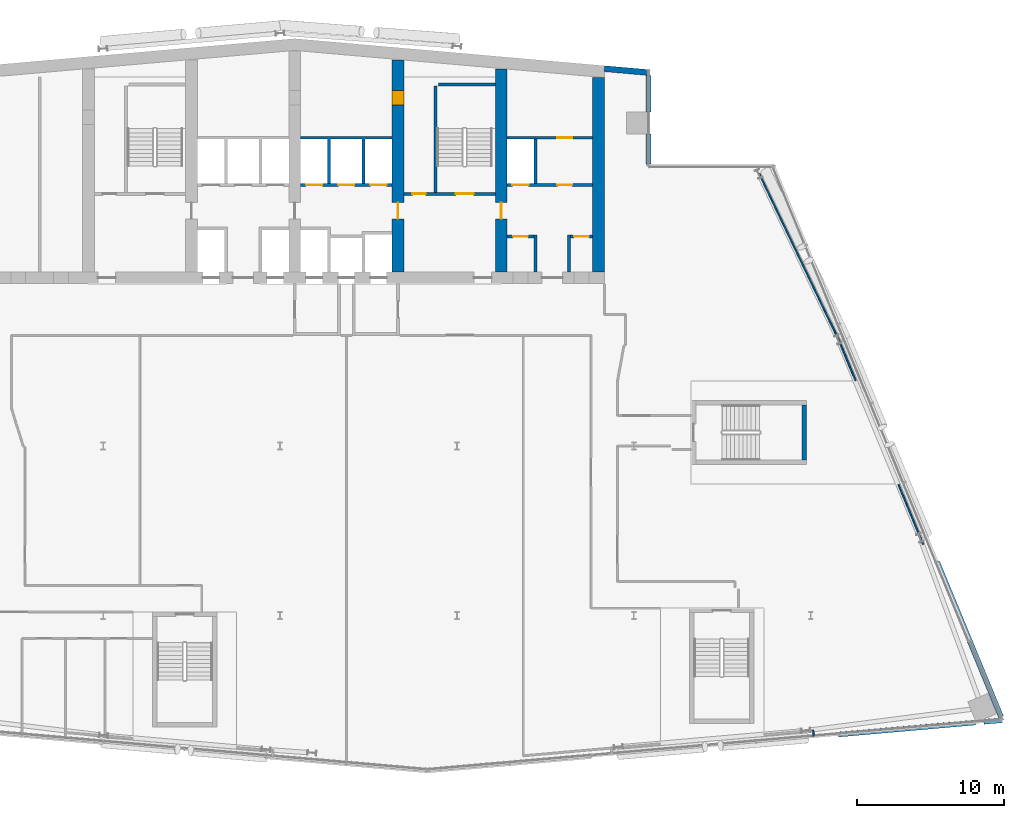
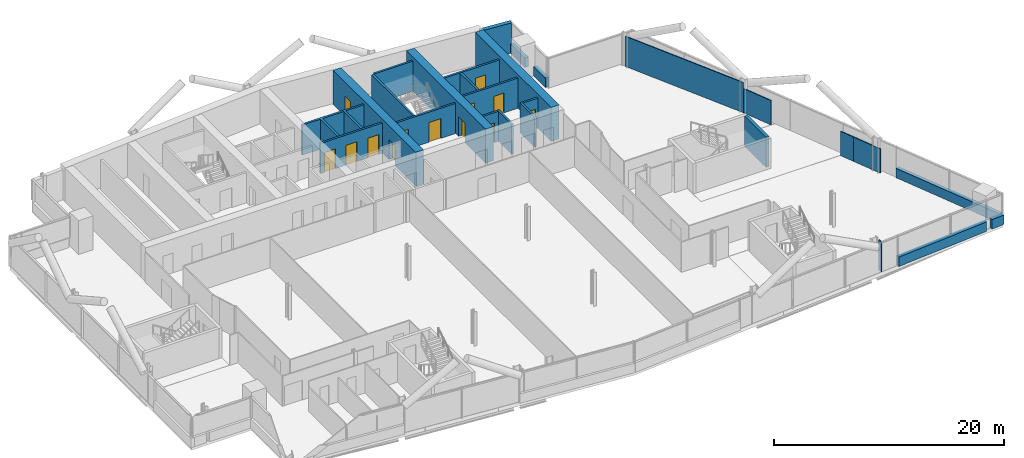
# One storey, part 19 of 26: 27 walls, 13 doors, 13 openings.
"""IFC4 building model written with IfcOpenShell, lengths in metres."""

from ifc_helpers import new_model, si_unit, direction, frame, frame_2d, origin, place, context, subcontext, project, spatial, polyline, rectangle, outline, extrude, material, layer, layer_set, type_object, element, fill, save


model = new_model("IFC4")

# Units and contexts
model_context = context("Model", 3, precision=1e-05, world=origin(), true_north=direction((0.0, 1.0)))
body_context = subcontext(model_context, "Body", "Model", "MODEL_VIEW")
ifc_project = project(units=[si_unit("LENGTHUNIT", "METRE"), si_unit("AREAUNIT", "SQUARE_METRE"), si_unit("VOLUMEUNIT", "CUBIC_METRE"), si_unit("PLANEANGLEUNIT", "RADIAN"), si_unit("MASSUNIT", "GRAM", prefix="KILO")], contexts=[model_context])

# Site, building, storey
site_placement = place(None, origin())
site = spatial("IfcSite", under=ifc_project, at=site_placement, CompositionType="ELEMENT")
building_placement = place(site_placement, origin())
building = spatial("IfcBuilding", under=site, at=building_placement, Name="Wharfspan Tower", CompositionType="ELEMENT")
storey_placement = place(building_placement, frame((0.0, 0.0, 177.100098)))
storey = spatial("IfcBuildingStorey", under=building, at=storey_placement, Name="L43", CompositionType="ELEMENT", Elevation=177.100098)

# Wall, opening, door
ifc_material_1 = material(Name="Calcium silicate masonry", Category="masonry")
ifc_layer_1 = layer(ifc_material_1, 0.199951)
ifc_layer_set_1 = layer_set([ifc_layer_1], Name="Calcium silicate masonry")
wall_type_1 = type_object("IfcWallType", Name="Core room wall 200", PredefinedType="PARTITIONING", material=ifc_layer_set_1)
wall_1_placement = place(storey_placement, frame((51.399902, 37.199951, 0.0), z_axis=(0.0, 0.0, 1.0), x_axis=(1.0, 0.0, 0.0)))
wall_1 = element("IfcWall", 1, at=wall_1_placement, inside=storey, type_object=wall_type_1, Name="sw:L43:FR6.1", PredefinedType="PARTITIONING", context=body_context, shape_type="SweptSolid", body=[
    extrude(rectangle(XDim=1.833496, YDim=0.199951, at=frame_2d((0.916748, 0.0))), origin(), (0.0, 0.0, 1.0), 3.199951),
])
opening_1_placement = place(wall_1_placement, frame((0.416748, 0.0, 0.0)))
opening_1 = element("IfcOpeningElement", 2, at=opening_1_placement, cuts=wall_1, Name="Opening CD43.6H1", PredefinedType="OPENING", context=body_context, shape_type="SweptSolid", body=[
    extrude(rectangle(XDim=1.0, YDim=2.100098, at=frame_2d((0.5, 1.050049))), frame((0.0, 0.109863, 0.0), z_axis=(0.0, -1.0, 0.0), x_axis=(1.0, 0.0, 0.0)), (0.0, 0.0, 1.0), 0.219971),
])
ifc_material_2 = material(Name="Steel door leaf", Category="steel")
door_type_1 = type_object("IfcDoorType", Name="Core room door 1000x2100", OperationType="SINGLE_SWING_LEFT", PredefinedType="DOOR", material=ifc_material_2)
door_1_placement = place(opening_1_placement, origin())
door_1 = element("IfcDoor", 3, at=door_1_placement, inside=storey, type_object=door_type_1, Name="d:L43:6:fh6.1", OperationType="SINGLE_SWING_RIGHT", OverallHeight=2.100098, OverallWidth=1.0, PredefinedType="DOOR", context=body_context, shape_type="SweptSolid", body=[
    extrude(rectangle(XDim=1.0, YDim=2.100098, at=frame_2d((0.5, 1.050049))), frame((0.0, 0.024902, 0.0), z_axis=(0.0, -1.0, 0.0), x_axis=(1.0, 0.0, 0.0)), (0.0, 0.0, 1.0), 0.050049),
])
fill(opening_1, door_1)

wall_2_placement = place(storey_placement, frame((55.699951, 37.199951, 0.0), z_axis=(0.0, 0.0, 1.0), x_axis=(1.0, 0.0, 0.0)))
wall_2 = element("IfcWall", 4, at=wall_2_placement, inside=storey, type_object=wall_type_1, Name="sw:L43:FR6.3", PredefinedType="PARTITIONING", context=body_context, shape_type="SweptSolid", body=[
    extrude(rectangle(XDim=1.5, YDim=0.199951, at=frame_2d((0.75, 0.0))), origin(), (0.0, 0.0, 1.0), 3.199951),
])
opening_2_placement = place(wall_2_placement, frame((0.25, 0.0, 0.0)))
opening_2 = element("IfcOpeningElement", 5, at=opening_2_placement, cuts=wall_2, Name="Opening CD43.6H3", PredefinedType="OPENING", context=body_context, shape_type="SweptSolid", body=[
    extrude(rectangle(XDim=1.0, YDim=2.100098, at=frame_2d((0.5, 1.050049))), frame((0.0, 0.109863, 0.0), z_axis=(0.0, -1.0, 0.0), x_axis=(1.0, 0.0, 0.0)), (0.0, 0.0, 1.0), 0.219971),
])
door_2_placement = place(opening_2_placement, origin())
door_2 = element("IfcDoor", 6, at=door_2_placement, inside=storey, type_object=door_type_1, Name="d:L43:6:fh6.3", OperationType="SINGLE_SWING_RIGHT", OverallHeight=2.100098, OverallWidth=1.0, PredefinedType="DOOR", context=body_context, shape_type="SweptSolid", body=[
    extrude(rectangle(XDim=1.0, YDim=2.100098, at=frame_2d((0.5, 1.050049))), frame((0.0, 0.024902, 0.0), z_axis=(0.0, -1.0, 0.0), x_axis=(1.0, 0.0, 0.0)), (0.0, 0.0, 1.0), 0.050049),
])
fill(opening_2, door_2)

# Wall, openings, doors
ifc_material_3 = material(Name="Concrete C60/75", Category="concrete")
ifc_layer_2 = layer(ifc_material_3, 0.800049)
ifc_layer_set_2 = layer_set([ifc_layer_2], Name="Concrete C60/75")
wall_type_2 = type_object("IfcWallType", Name="Core wall 800 C60/75", PredefinedType="SHEAR", material=ifc_layer_set_2)
wall_3_placement = place(storey_placement, frame((44.0, 34.800049, 0.0), z_axis=(0.0, 0.0, 1.0), x_axis=(0.0, 1.0, 0.0)))
wall_3 = element("IfcWall", 7, at=wall_3_placement, inside=storey, type_object=wall_type_2, Name="Core cross wall X5 L43", PredefinedType="SHEAR", context=body_context, shape_type="SweptSolid", body=[
    extrude(rectangle(XDim=14.374023, YDim=0.800049, at=frame_2d((7.187012, 0.0))), origin(), (0.0, 0.0, 1.0), 3.599854),
])
opening_3_placement = place(wall_3_placement, frame((11.312012, 0.0, 0.0)))
opening_3 = element("IfcOpeningElement", 8, at=opening_3_placement, cuts=wall_3, Name="Opening CD43.4X", PredefinedType="OPENING", context=body_context, shape_type="SweptSolid", body=[
    extrude(rectangle(XDim=1.0, YDim=2.100098, at=frame_2d((0.5, 1.050049))), frame((0.0, 0.409912, 0.0), z_axis=(0.0, -1.0, 0.0), x_axis=(1.0, 0.0, 0.0)), (0.0, 0.0, 1.0), 0.820068),
])
opening_4_placement = place(wall_3_placement, frame((3.600098, 0.0, 0.0)))
opening_4 = element("IfcOpeningElement", 9, at=opening_4_placement, cuts=wall_3, Name="Opening CC43.5", PredefinedType="OPENING", context=body_context, shape_type="SweptSolid", body=[
    extrude(rectangle(XDim=1.100098, YDim=2.100098, at=frame_2d((0.550049, 1.050049))), frame((0.0, 0.409912, 0.0), z_axis=(0.0, -1.0, 0.0), x_axis=(1.0, 0.0, 0.0)), (0.0, 0.0, 1.0), 0.820068),
])
door_type_2 = type_object("IfcDoorType", Name="Core corridor door 1100x2100", OperationType="SINGLE_SWING_LEFT", PredefinedType="DOOR", material=ifc_material_2)
door_3_placement = place(opening_4_placement, origin())
door_3 = element("IfcDoor", 10, at=door_3_placement, inside=storey, type_object=door_type_2, Name="xd:L43:5", OperationType="SINGLE_SWING_LEFT", OverallHeight=2.100098, OverallWidth=1.100098, PredefinedType="DOOR", context=body_context, shape_type="SweptSolid", body=[
    extrude(rectangle(XDim=1.100098, YDim=2.100098, at=frame_2d((0.550049, 1.050049))), frame((0.0, 0.024902, 0.0), z_axis=(0.0, -1.0, 0.0), x_axis=(1.0, 0.0, 0.0)), (0.0, 0.0, 1.0), 0.050049),
])
fill(opening_4, door_3)
door_4_placement = place(opening_3_placement, origin())
door_4 = element("IfcDoor", 11, at=door_4_placement, inside=storey, type_object=door_type_1, Name="d:L43:4:sx", OperationType="SINGLE_SWING_LEFT", OverallHeight=2.100098, OverallWidth=1.0, PredefinedType="DOOR", context=body_context, shape_type="SweptSolid", body=[
    extrude(rectangle(XDim=1.0, YDim=2.100098, at=frame_2d((0.5, 1.050049))), frame((0.0, 0.399902, 0.0), z_axis=(0.0, -1.0, 0.0), x_axis=(1.0, 0.0, 0.0)), (0.0, 0.0, 1.0), 0.799561),
])
fill(opening_3, door_4)

# Wall, opening, door
wall_4_placement = place(storey_placement, frame((51.0, 34.800049, 0.0), z_axis=(0.0, 0.0, 1.0), x_axis=(0.0, 1.0, 0.0)))
wall_4 = element("IfcWall", 12, at=wall_4_placement, inside=storey, type_object=wall_type_2, Name="Core cross wall X6 L43", PredefinedType="SHEAR", context=body_context, shape_type="SweptSolid", body=[
    extrude(rectangle(XDim=13.761719, YDim=0.800049, at=frame_2d((6.880859, 0.0))), origin(), (0.0, 0.0, 1.0), 3.599854),
])
opening_5_placement = place(wall_4_placement, frame((3.600098, 0.0, 0.0)))
opening_5 = element("IfcOpeningElement", 13, at=opening_5_placement, cuts=wall_4, Name="Opening CC43.6", PredefinedType="OPENING", context=body_context, shape_type="SweptSolid", body=[
    extrude(rectangle(XDim=1.100098, YDim=2.100098, at=frame_2d((0.550049, 1.050049))), frame((0.0, 0.409912, 0.0), z_axis=(0.0, -1.0, 0.0), x_axis=(1.0, 0.0, 0.0)), (0.0, 0.0, 1.0), 0.820068),
])
door_5_placement = place(opening_5_placement, origin())
door_5 = element("IfcDoor", 14, at=door_5_placement, inside=storey, type_object=door_type_2, Name="xd:L43:6", OperationType="SINGLE_SWING_RIGHT", OverallHeight=2.100098, OverallWidth=1.100098, PredefinedType="DOOR", context=body_context, shape_type="SweptSolid", body=[
    extrude(rectangle(XDim=1.100098, YDim=2.100098, at=frame_2d((0.550049, 1.050049))), frame((0.0, 0.024902, 0.0), z_axis=(0.0, -1.0, 0.0), x_axis=(1.0, 0.0, 0.0)), (0.0, 0.0, 1.0), 0.050049),
])
fill(opening_5, door_5)

# Wall
wall_5_placement = place(storey_placement, frame((57.600098, 34.800049, 0.0), z_axis=(0.0, 0.0, 1.0), x_axis=(0.0, 1.0, 0.0)))
element("IfcWall", 15, at=wall_5_placement, inside=storey, type_object=wall_type_2, Name="Core cross wall EW1 L43", PredefinedType="SHEAR", context=body_context, shape_type="SweptSolid", body=[
    extrude(rectangle(XDim=13.184326, YDim=0.800049, at=frame_2d((6.592285, 0.0))), origin(), (0.0, 0.0, 1.0), 3.599854),
])

# Wall, openings, doors
ifc_material_4 = material(Name="Concrete C30/37", Category="concrete")
ifc_layer_3 = layer(ifc_material_4, 0.199951)
ifc_layer_set_3 = layer_set([ifc_layer_3], Name="Concrete C30/37")
wall_type_3 = type_object("IfcWallType", Name="Lift shaft wall 200", PredefinedType="PARTITIONING", material=ifc_layer_set_3)
wall_6_placement = place(storey_placement, frame((37.399902, 40.699951, 0.0), z_axis=(0.0, 0.0, 1.0), x_axis=(1.0, 0.0, 0.0)))
wall_6 = element("IfcWall", 16, at=wall_6_placement, inside=storey, type_object=wall_type_3, Name="sw:L43:RF4", PredefinedType="PARTITIONING", context=body_context, shape_type="SweptSolid", body=[
    extrude(rectangle(XDim=6.200195, YDim=0.199951, at=frame_2d((3.100098, 0.0))), origin(), (0.0, 0.0, 1.0), 3.199951),
])
opening_6_placement = place(wall_6_placement, frame((0.366699, 0.0, 0.0)))
opening_6 = element("IfcOpeningElement", 17, at=opening_6_placement, cuts=wall_6, Name="Opening LD.LB4.L43", PredefinedType="OPENING", context=body_context, shape_type="SweptSolid", body=[
    extrude(rectangle(XDim=1.100098, YDim=2.100098, at=frame_2d((0.550049, 1.050049))), frame((0.0, 0.109863, 0.0), z_axis=(0.0, -1.0, 0.0), x_axis=(1.0, 0.0, 0.0)), (0.0, 0.0, 1.0), 0.219971),
])
opening_7_placement = place(wall_6_placement, frame((2.550049, 0.0, 0.0)))
opening_7 = element("IfcOpeningElement", 18, at=opening_7_placement, cuts=wall_6, Name="Opening LD.LB5.L43", PredefinedType="OPENING", context=body_context, shape_type="SweptSolid", body=[
    extrude(rectangle(XDim=1.100098, YDim=2.100098, at=frame_2d((0.550049, 1.050049))), frame((0.0, 0.109863, 0.0), z_axis=(0.0, -1.0, 0.0), x_axis=(1.0, 0.0, 0.0)), (0.0, 0.0, 1.0), 0.219971),
])
opening_8_placement = place(wall_6_placement, frame((4.733398, 0.0, 0.0)))
opening_8 = element("IfcOpeningElement", 19, at=opening_8_placement, cuts=wall_6, Name="Opening LD.LB6.L43", PredefinedType="OPENING", context=body_context, shape_type="SweptSolid", body=[
    extrude(rectangle(XDim=1.100098, YDim=2.100098, at=frame_2d((0.550049, 1.050049))), frame((0.0, 0.109863, 0.0), z_axis=(0.0, -1.0, 0.0), x_axis=(1.0, 0.0, 0.0)), (0.0, 0.0, 1.0), 0.219971),
])
ifc_material_5 = material(Name="Stainless steel", Category="steel")
door_type_3 = type_object("IfcDoorType", Name="Lift landing door 1100x2100", OperationType="DOUBLE_DOOR_SLIDING", PredefinedType="DOOR", material=ifc_material_5)
door_6_placement = place(opening_6_placement, origin())
door_6 = element("IfcDoor", 20, at=door_6_placement, inside=storey, type_object=door_type_3, Name="Landing door LB4 L43", OperationType="DOUBLE_DOOR_SLIDING", OverallHeight=2.100098, OverallWidth=1.100098, PredefinedType="DOOR", context=body_context, shape_type="SweptSolid", body=[
    extrude(rectangle(XDim=1.100098, YDim=2.100098, at=frame_2d((0.550049, 1.050049))), frame((0.0, 0.024902, 0.0), z_axis=(0.0, -1.0, 0.0), x_axis=(1.0, 0.0, 0.0)), (0.0, 0.0, 1.0), 0.050049),
])
fill(opening_6, door_6)
door_7_placement = place(opening_7_placement, origin())
door_7 = element("IfcDoor", 21, at=door_7_placement, inside=storey, type_object=door_type_3, Name="Landing door LB5 L43", OperationType="DOUBLE_DOOR_SLIDING", OverallHeight=2.100098, OverallWidth=1.100098, PredefinedType="DOOR", context=body_context, shape_type="SweptSolid", body=[
    extrude(rectangle(XDim=1.100098, YDim=2.100098, at=frame_2d((0.550049, 1.050049))), frame((0.0, 0.024902, 0.0), z_axis=(0.0, -1.0, 0.0), x_axis=(1.0, 0.0, 0.0)), (0.0, 0.0, 1.0), 0.050049),
])
fill(opening_7, door_7)
door_8_placement = place(opening_8_placement, origin())
door_8 = element("IfcDoor", 22, at=door_8_placement, inside=storey, type_object=door_type_3, Name="Landing door LB6 L43", OperationType="DOUBLE_DOOR_SLIDING", OverallHeight=2.100098, OverallWidth=1.100098, PredefinedType="DOOR", context=body_context, shape_type="SweptSolid", body=[
    extrude(rectangle(XDim=1.100098, YDim=2.100098, at=frame_2d((0.550049, 1.050049))), frame((0.0, 0.024902, 0.0), z_axis=(0.0, -1.0, 0.0), x_axis=(1.0, 0.0, 0.0)), (0.0, 0.0, 1.0), 0.050049),
])
fill(opening_8, door_8)

# Wall
wall_7_placement = place(storey_placement, frame((0.0, 0.0, -0.000244)))
element("IfcWall", 23, at=wall_7_placement, inside=storey, type_object=wall_type_3, Name="sw:L43:RM4.0", PredefinedType="PARTITIONING", context=body_context, shape_type="SweptSolid", body=[
    extrude(outline(polyline([(39.43335, 40.800049), (39.233398, 40.800049), (39.233398, 43.800049), (37.399902, 43.800049), (37.399902, 44.0), (43.600098, 44.0), (43.600098, 43.800049), (41.766602, 43.800049), (41.766602, 40.800049), (41.56665, 40.800049), (41.56665, 43.800049), (39.43335, 43.800049), (39.43335, 40.800049)])), origin(), (0.0, 0.0, 1.0), 3.200195),
])

# Wall, openings, doors
wall_8_placement = place(storey_placement, frame((51.399902, 40.699951, 0.0), z_axis=(0.0, 0.0, 1.0), x_axis=(1.0, 0.0, 0.0)))
wall_8 = element("IfcWall", 24, at=wall_8_placement, inside=storey, type_object=wall_type_3, Name="sw:L43:RF6", PredefinedType="PARTITIONING", context=body_context, shape_type="SweptSolid", body=[
    extrude(rectangle(XDim=5.800049, YDim=0.199951, at=frame_2d((2.899902, 0.0))), origin(), (0.0, 0.0, 1.0), 3.199951),
])
opening_9_placement = place(wall_8_placement, frame((0.366699, 0.0, 0.0)))
opening_9 = element("IfcOpeningElement", 25, at=opening_9_placement, cuts=wall_8, Name="Opening LD.LB8.L43", PredefinedType="OPENING", context=body_context, shape_type="SweptSolid", body=[
    extrude(rectangle(XDim=1.100098, YDim=2.100098, at=frame_2d((0.550049, 1.050049))), frame((0.0, 0.109863, 0.0), z_axis=(0.0, -1.0, 0.0), x_axis=(1.0, 0.0, 0.0)), (0.0, 0.0, 1.0), 0.219971),
])
opening_10_placement = place(wall_8_placement, frame((3.416748, 0.0, 0.0)))
opening_10 = element("IfcOpeningElement", 26, at=opening_10_placement, cuts=wall_8, Name="Opening CD43.6R2", PredefinedType="OPENING", context=body_context, shape_type="SweptSolid", body=[
    extrude(rectangle(XDim=1.0, YDim=2.100098, at=frame_2d((0.5, 1.050049))), frame((0.0, 0.109863, 0.0), z_axis=(0.0, -1.0, 0.0), x_axis=(1.0, 0.0, 0.0)), (0.0, 0.0, 1.0), 0.219971),
])
door_9_placement = place(opening_10_placement, origin())
door_9 = element("IfcDoor", 27, at=door_9_placement, inside=storey, type_object=door_type_1, Name="d:L43:6:rd6.2", OperationType="SINGLE_SWING_RIGHT", OverallHeight=2.100098, OverallWidth=1.0, PredefinedType="DOOR", context=body_context, shape_type="SweptSolid", body=[
    extrude(rectangle(XDim=1.0, YDim=2.100098, at=frame_2d((0.5, 1.050049))), frame((0.0, 0.024902, 0.0), z_axis=(0.0, -1.0, 0.0), x_axis=(1.0, 0.0, 0.0)), (0.0, 0.0, 1.0), 0.050049),
])
fill(opening_10, door_9)
door_10_placement = place(opening_9_placement, origin())
door_10 = element("IfcDoor", 28, at=door_10_placement, inside=storey, type_object=door_type_3, Name="Landing door LB8 L43", OperationType="DOUBLE_DOOR_SLIDING", OverallHeight=2.100098, OverallWidth=1.100098, PredefinedType="DOOR", context=body_context, shape_type="SweptSolid", body=[
    extrude(rectangle(XDim=1.100098, YDim=2.100098, at=frame_2d((0.550049, 1.050049))), frame((0.0, 0.024902, 0.0), z_axis=(0.0, -1.0, 0.0), x_axis=(1.0, 0.0, 0.0)), (0.0, 0.0, 1.0), 0.050049),
])
fill(opening_9, door_10)

# Wall, opening, door
wall_9_placement = place(storey_placement, frame((51.399902, 43.899902, 0.0), z_axis=(0.0, 0.0, 1.0), x_axis=(1.0, 0.0, 0.0)))
wall_9 = element("IfcWall", 29, at=wall_9_placement, inside=storey, type_object=wall_type_3, Name="sw:L43:RR6", PredefinedType="PARTITIONING", context=body_context, shape_type="SweptSolid", body=[
    extrude(rectangle(XDim=5.800049, YDim=0.199951, at=frame_2d((2.899902, 0.0))), origin(), (0.0, 0.0, 1.0), 3.199951),
])
opening_11_placement = place(wall_9_placement, frame((3.416748, 0.0, 0.0)))
opening_11 = element("IfcOpeningElement", 30, at=opening_11_placement, cuts=wall_9, Name="Opening CD43.6S2", PredefinedType="OPENING", context=body_context, shape_type="SweptSolid", body=[
    extrude(rectangle(XDim=1.0, YDim=2.100098, at=frame_2d((0.5, 1.050049))), frame((0.0, 0.109863, 0.0), z_axis=(0.0, -1.0, 0.0), x_axis=(1.0, 0.0, 0.0)), (0.0, 0.0, 1.0), 0.219971),
])
door_11_placement = place(opening_11_placement, origin())
door_11 = element("IfcDoor", 31, at=door_11_placement, inside=storey, type_object=door_type_1, Name="d:L43:6:rs6.2", OperationType="SINGLE_SWING_LEFT", OverallHeight=2.100098, OverallWidth=1.0, PredefinedType="DOOR", context=body_context, shape_type="SweptSolid", body=[
    extrude(rectangle(XDim=1.0, YDim=2.100098, at=frame_2d((0.5, 1.050049))), frame((0.0, 0.024902, 0.0), z_axis=(0.0, -1.0, 0.0), x_axis=(1.0, 0.0, 0.0)), (0.0, 0.0, 1.0), 0.050049),
])
fill(opening_11, door_11)

# Walls
wall_10_placement = place(storey_placement, frame((0.0, 0.0, -0.000244)))
element("IfcWall", 32, at=wall_10_placement, inside=storey, type_object=wall_type_3, Name="sw:L43:FM6.0", PredefinedType="PARTITIONING", context=body_context, shape_type="SweptSolid", body=[
    extrude(outline(polyline([(53.233398, 34.800049), (53.233398, 37.300049), (53.43335, 37.300049), (53.43335, 34.800049), (53.233398, 34.800049)])), origin(), (0.0, 0.0, 1.0), 3.200195),
])
wall_11_placement = place(storey_placement, frame((0.0, 0.0, -0.000244)))
element("IfcWall", 33, at=wall_11_placement, inside=storey, type_object=wall_type_3, Name="sw:L43:FM6.1", PredefinedType="PARTITIONING", context=body_context, shape_type="SweptSolid", body=[
    extrude(outline(polyline([(55.5, 34.800049), (55.5, 37.300049), (55.699951, 37.300049), (55.699951, 34.800049), (55.5, 34.800049)])), origin(), (0.0, 0.0, 1.0), 3.200195),
])
wall_12_placement = place(storey_placement, frame((0.0, 0.0, -0.000244)))
element("IfcWall", 34, at=wall_12_placement, inside=storey, type_object=wall_type_3, Name="sw:L43:RM6.0", PredefinedType="PARTITIONING", context=body_context, shape_type="SweptSolid", body=[
    extrude(outline(polyline([(53.43335, 40.800049), (53.43335, 43.800049), (53.233398, 43.800049), (53.233398, 40.800049), (53.43335, 40.800049)])), origin(), (0.0, 0.0, 1.0), 3.200195),
])
ifc_material_6 = material(Name="Gypsum board on steel studs", Category="steel")
ifc_layer_4 = layer(ifc_material_6, 0.100098)
ifc_layer_set_4 = layer_set([ifc_layer_4], Name="Gypsum board on steel studs")
wall_type_4 = type_object("IfcWallType", Name="Partition 100", PredefinedType="PARTITIONING", material=ifc_layer_set_4)
wall_13_placement = place(storey_placement, frame((72.198242, 3.300049, 0.0), z_axis=(0.0, 0.0, 1.0), x_axis=(-0.083759, 0.996486, 0.0)))
element("IfcWall", 35, at=wall_13_placement, inside=storey, type_object=wall_type_4, Name="Partition L43.w047", PredefinedType="PARTITIONING", context=body_context, shape_type="SweptSolid", body=[
    extrude(rectangle(XDim=0.396484, YDim=0.100098, at=frame_2d((0.198242, 0.0))), origin(), (0.0, 0.0, 1.0), 3.199951),
])
wall_14_placement = place(storey_placement, frame((73.88501, 30.22998, 0.0), z_axis=(0.0, 0.0, 1.0), x_axis=(-0.432221, 0.901772, 0.0)))
element("IfcWall", 36, at=wall_14_placement, inside=storey, type_object=wall_type_4, Name="Partition L43.w048", PredefinedType="PARTITIONING", context=body_context, shape_type="SweptSolid", body=[
    extrude(rectangle(XDim=12.458984, YDim=0.100098, at=frame_2d((6.229492, 0.0))), origin(), (0.0, 0.0, 1.0), 3.199951),
])
wall_15_placement = place(storey_placement, frame((75.046631, 27.419922, 0.0), z_axis=(0.0, 0.0, 1.0), x_axis=(-0.382024, 0.924148, 0.0)))
element("IfcWall", 37, at=wall_15_placement, inside=storey, type_object=wall_type_4, Name="Partition L43.w049", PredefinedType="PARTITIONING", context=body_context, shape_type="SweptSolid", body=[
    extrude(rectangle(XDim=3.040771, YDim=0.100098, at=frame_2d((1.520508, 0.0))), origin(), (0.0, 0.0, 1.0), 2.579834),
])
wall_16_placement = place(storey_placement, frame((78.5, 19.050049, 0.0), z_axis=(0.0, 0.0, 1.0), x_axis=(-0.380332, 0.924852, 0.0)))
element("IfcWall", 38, at=wall_16_placement, inside=storey, type_object=wall_type_4, Name="Partition L43.w050", PredefinedType="PARTITIONING", context=body_context, shape_type="SweptSolid", body=[
    extrude(rectangle(XDim=1.437988, YDim=0.100098, at=frame_2d((0.718994, 0.0))), origin(), (0.0, 0.0, 1.0), 2.579834),
])
wall_17_placement = place(storey_placement, frame((79.629883, 16.310059, 0.0), z_axis=(0.0, 0.0, 1.0), x_axis=(-0.381225, 0.924479, 0.0)))
element("IfcWall", 39, at=wall_17_placement, inside=storey, type_object=wall_type_4, Name="Partition L43.w051", PredefinedType="PARTITIONING", context=body_context, shape_type="SweptSolid", body=[
    extrude(rectangle(XDim=2.963867, YDim=0.100098, at=frame_2d((1.481934, 0.0))), origin(), (0.0, 0.0, 1.0), 2.579834),
])
ifc_material_7 = material(Name="Concrete C40/50", Category="concrete")
ifc_layer_5 = layer(ifc_material_7, 0.350098)
ifc_layer_set_5 = layer_set([ifc_layer_5], Name="Concrete C40/50")
wall_type_5 = type_object("IfcWallType", Name="SPANDREL EXPOSED CONCRETE 350", PredefinedType="SOLIDWALL", material=ifc_layer_set_5)
wall_18_placement = place(storey_placement, frame((73.887451, 3.422852, 0.0), z_axis=(0.0, 0.0, 1.0), x_axis=(0.996197, 0.087145, 0.0)))
element("IfcWall", 40, at=wall_18_placement, inside=storey, type_object=wall_type_5, Name="Spandrel upstand L43 S2 2", PredefinedType="SOLIDWALL", context=body_context, shape_type="SweptSolid", body=[
    extrude(rectangle(XDim=9.323486, YDim=0.350098, at=frame_2d((4.661621, 0.0))), origin(), (0.0, 0.0, 1.0), 1.0),
])
wall_19_placement = place(storey_placement, frame((83.744629, 4.285156, 0.0), z_axis=(0.0, 0.0, 1.0), x_axis=(0.996198, 0.087148, 0.0)))
element("IfcWall", 41, at=wall_19_placement, inside=storey, type_object=wall_type_5, Name="Spandrel upstand L43 S2 3", PredefinedType="SOLIDWALL", context=body_context, shape_type="SweptSolid", body=[
    extrude(rectangle(XDim=1.260742, YDim=0.350098, at=frame_2d((0.630371, 0.0))), origin(), (0.0, 0.0, 1.0), 1.0),
])
wall_20_placement = place(storey_placement, frame((84.91626, 4.615967, 0.0), z_axis=(0.0, 0.0, 1.0), x_axis=(-0.381598, 0.924328, 0.0)))
element("IfcWall", 42, at=wall_20_placement, inside=storey, type_object=wall_type_5, Name="Spandrel upstand L43 E", PredefinedType="SOLIDWALL", context=body_context, shape_type="SweptSolid", body=[
    extrude(rectangle(XDim=11.360596, YDim=0.350098, at=frame_2d((5.680176, 0.0))), origin(), (0.0, 0.0, 1.0), 1.0),
])
wall_21_placement = place(storey_placement, frame((61.004883, 42.120117, 0.0), z_axis=(0.0, 0.0, 1.0), x_axis=(0.0, 1.0, 0.0)))
element("IfcWall", 43, at=wall_21_placement, inside=storey, type_object=wall_type_5, Name="Spandrel upstand L43 NRE-V", PredefinedType="SOLIDWALL", context=body_context, shape_type="SweptSolid", body=[
    extrude(rectangle(XDim=2.029785, YDim=0.350098, at=frame_2d((1.014893, 0.0))), origin(), (0.0, 0.0, 1.0), 1.0),
])
wall_22_placement = place(storey_placement, frame((61.004883, 45.649902, 0.0), z_axis=(0.0, 0.0, 1.0), x_axis=(0.0, 1.0, 0.0)))
element("IfcWall", 44, at=wall_22_placement, inside=storey, type_object=wall_type_5, Name="Spandrel upstand L43 NRE-V 2", PredefinedType="SOLIDWALL", context=body_context, shape_type="SweptSolid", body=[
    extrude(rectangle(XDim=2.476562, YDim=0.350098, at=frame_2d((1.238281, 0.0))), origin(), (0.0, 0.0, 1.0), 1.0),
])
ifc_layer_6 = layer(ifc_material_7, 0.300049)
ifc_layer_set_6 = layer_set([ifc_layer_6], Name="Concrete C40/50")
wall_type_6 = type_object("IfcWallType", Name="Stair core wall 300", PredefinedType="SHEAR", material=ifc_layer_set_6)
wall_23_placement = place(storey_placement, frame((71.554688, 22.024902, 0.0), z_axis=(0.0, 0.0, 1.0), x_axis=(0.0, 1.0, 0.0)))
element("IfcWall", 45, at=wall_23_placement, inside=storey, type_object=wall_type_6, Name="ST6 stair enclosure wall L43", PredefinedType="SHEAR", context=body_context, shape_type="SweptSolid", body=[
    extrude(rectangle(XDim=3.75, YDim=0.300049, at=frame_2d((1.875, 0.0))), origin(), (0.0, 0.0, 1.0), 3.199951),
])

# Wall, openings, doors
ifc_layer_7 = layer(ifc_material_7, 0.199951)
ifc_layer_set_7 = layer_set([ifc_layer_7], Name="Concrete C40/50")
wall_type_7 = type_object("IfcWallType", Name="Stair shaft wall 200", PredefinedType="SHEAR", material=ifc_layer_set_7)
wall_24_placement = place(storey_placement, frame((44.399902, 40.100098, 0.0), z_axis=(0.0, 0.0, 1.0), x_axis=(1.0, 0.0, 0.0)))
wall_24 = element("IfcWall", 46, at=wall_24_placement, inside=storey, type_object=wall_type_7, Name="ST2 stair enclosure wall L43", PredefinedType="SHEAR", context=body_context, shape_type="SweptSolid", body=[
    extrude(rectangle(XDim=6.200195, YDim=0.199951, at=frame_2d((3.100098, 0.0))), origin(), (0.0, 0.0, 1.0), 3.199951),
])
opening_12_placement = place(wall_24_placement, frame((3.524902, 0.0, 0.0)))
opening_12 = element("IfcOpeningElement", 47, at=opening_12_placement, cuts=wall_24, Name="Opening SD5.L43", PredefinedType="OPENING", context=body_context, shape_type="SweptSolid", body=[
    extrude(rectangle(XDim=1.199951, YDim=2.100098, at=frame_2d((0.600098, 1.050049))), frame((0.0, 0.109863, 0.0), z_axis=(0.0, -1.0, 0.0), x_axis=(1.0, 0.0, 0.0)), (0.0, 0.0, 1.0), 0.219971),
])
opening_13_placement = place(wall_24_placement, frame((0.574951, 0.0, 0.0)))
opening_13 = element("IfcOpeningElement", 48, at=opening_13_placement, cuts=wall_24, Name="Opening CD43.5R", PredefinedType="OPENING", context=body_context, shape_type="SweptSolid", body=[
    extrude(rectangle(XDim=0.899902, YDim=2.100098, at=frame_2d((0.449951, 1.050049))), frame((0.0, 0.109863, 0.0), z_axis=(0.0, -1.0, 0.0), x_axis=(1.0, 0.0, 0.0)), (0.0, 0.0, 1.0), 0.219971),
])
door_12_placement = place(opening_13_placement, origin())
door_12 = element("IfcDoor", 49, at=door_12_placement, inside=storey, type_object=door_type_1, Name="rk:L43:5", OperationType="SINGLE_SWING_LEFT", OverallHeight=2.100098, OverallWidth=0.899902, PredefinedType="DOOR", context=body_context, shape_type="SweptSolid", body=[
    extrude(rectangle(XDim=0.899902, YDim=2.100098, at=frame_2d((0.449951, 1.050049))), frame((0.0, 0.024902, 0.0), z_axis=(0.0, -1.0, 0.0), x_axis=(1.0, 0.0, 0.0)), (0.0, 0.0, 1.0), 0.050049),
])
fill(opening_13, door_12)
door_type_4 = type_object("IfcDoorType", Name="Stair door 1200x2100", OperationType="SINGLE_SWING_LEFT", PredefinedType="DOOR", material=ifc_material_2)
door_13_placement = place(opening_12_placement, origin())
door_13 = element("IfcDoor", 50, at=door_13_placement, inside=storey, type_object=door_type_4, Name="sd:L43:5", OperationType="SINGLE_SWING_RIGHT", OverallHeight=2.100098, OverallWidth=1.199951, PredefinedType="DOOR", context=body_context, shape_type="SweptSolid", body=[
    extrude(rectangle(XDim=1.199951, YDim=2.100098, at=frame_2d((0.600098, 1.050049))), frame((0.0, 0.024902, 0.0), z_axis=(0.0, -1.0, 0.0), x_axis=(1.0, 0.0, 0.0)), (0.0, 0.0, 1.0), 0.050049),
])
fill(opening_12, door_13)

# Walls
wall_25_placement = place(storey_placement, frame((46.550049, 40.199951, 0.0), z_axis=(0.0, 0.0, 1.0), x_axis=(0.0, 1.0, 0.0)))
element("IfcWall", 51, at=wall_25_placement, inside=storey, type_object=wall_type_7, Name="ST2 stair enclosure wall L43", PredefinedType="SHEAR", context=body_context, shape_type="SweptSolid", body=[
    extrude(rectangle(XDim=7.199951, YDim=0.199951, at=frame_2d((3.600098, 0.0))), origin(), (0.0, 0.0, 1.0), 3.199951),
])
wall_26_placement = place(storey_placement, frame((46.75, 47.5, 0.0), z_axis=(0.0, 0.0, 1.0), x_axis=(1.0, 0.0, 0.0)))
element("IfcWall", 52, at=wall_26_placement, inside=storey, type_object=wall_type_7, Name="ST2 stair enclosure wall L43", PredefinedType="SHEAR", context=body_context, shape_type="SweptSolid", body=[
    extrude(rectangle(XDim=3.850098, YDim=0.199951, at=frame_2d((1.925049, 0.0))), origin(), (0.0, 0.0, 1.0), 3.199951),
])
ifc_layer_8 = layer(ifc_material_7, 0.399902)
ifc_layer_set_8 = layer_set([ifc_layer_8], Name="Concrete C40/50")
wall_type_8 = type_object("IfcWallType", Name="WALL EXPOSED CONCRETE 400", PredefinedType="SOLIDWALL", material=ifc_layer_set_8)
wall_27_placement = place(storey_placement, frame((60.982666, 48.325684, 0.0), z_axis=(0.0, 0.0, 1.0), x_axis=(-0.996194, 0.087168, 0.0)))
element("IfcWall", 53, at=wall_27_placement, inside=storey, type_object=wall_type_8, Name="Rear wall N2", PredefinedType="SOLIDWALL", context=body_context, shape_type="SweptSolid", body=[
    extrude(rectangle(XDim=2.994141, YDim=0.399902, at=frame_2d((1.49707, 0.0))), origin(), (0.0, 0.0, 1.0), 3.199951),
])

save(model, "model.ifc")
